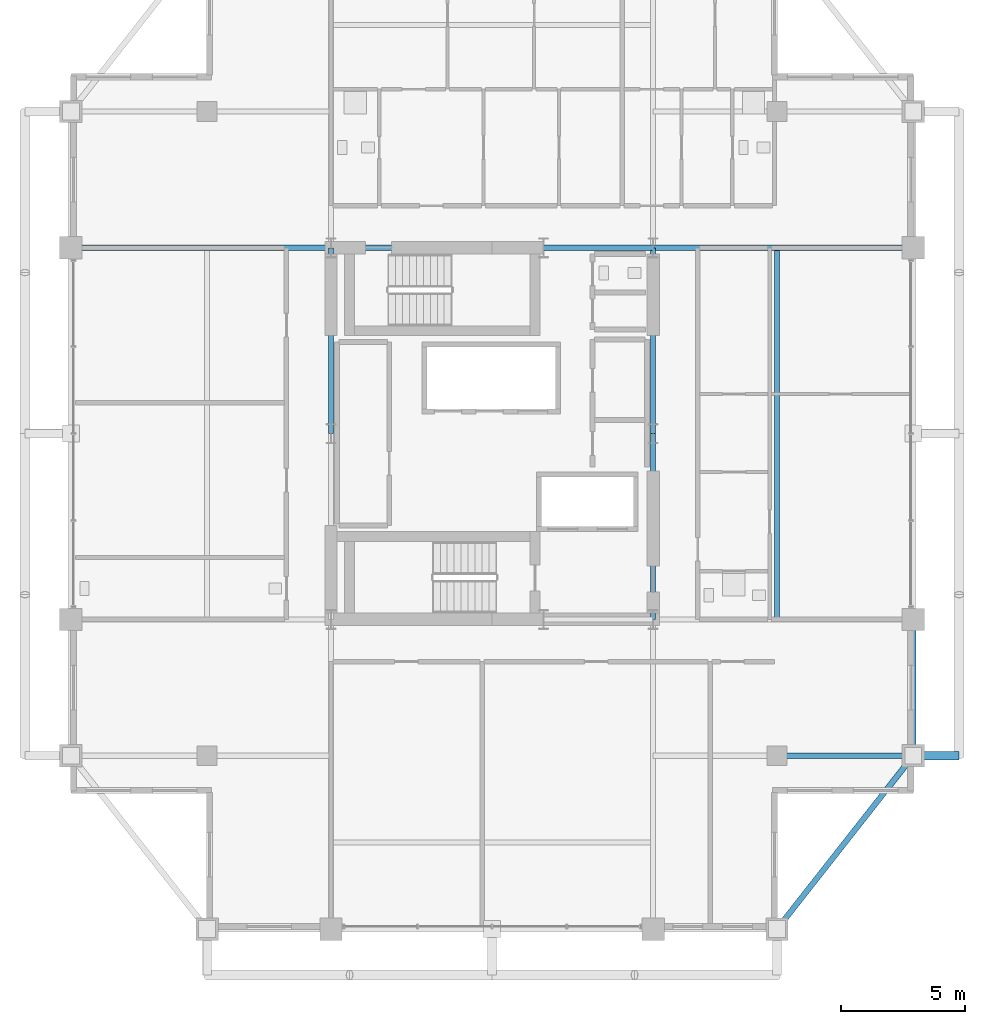
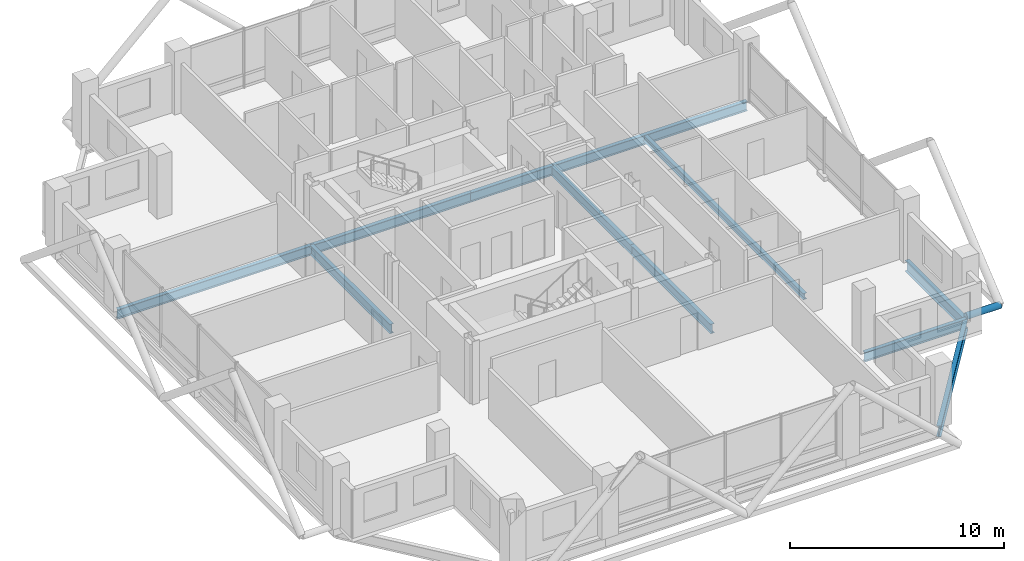
# One storey, part 11 of 24: 11 beams, 1 member.
"""IFC4 building model written with IfcOpenShell, lengths in metres."""

from ifc_helpers import new_model, si_unit, direction, frame, origin, origin_2d, place, context, subcontext, project, spatial, hollow_circle, i_section, extrude, material, material_profile, profile_set, type_object, element, save


model = new_model("IFC4")

# Units and contexts
model_context = context("Model", 3, precision=1e-05, world=origin(), true_north=direction((0.0, 1.0)))
body_context = subcontext(model_context, "Body", "Model", "MODEL_VIEW")
ifc_project = project(units=[si_unit("LENGTHUNIT", "METRE"), si_unit("AREAUNIT", "SQUARE_METRE"), si_unit("VOLUMEUNIT", "CUBIC_METRE"), si_unit("PLANEANGLEUNIT", "RADIAN"), si_unit("MASSUNIT", "GRAM", prefix="KILO")], contexts=[model_context])

# Site, building, storey
site_placement = place(None, origin())
site = spatial("IfcSite", under=ifc_project, at=site_placement, CompositionType="ELEMENT")
building_placement = place(site_placement, origin())
building = spatial("IfcBuilding", under=site, at=building_placement, Name="Barlavira Tower and Art Museum", CompositionType="ELEMENT")
storey_placement = place(building_placement, frame((0.0, 0.0, 283.5)))
storey = spatial("IfcBuildingStorey", under=building, at=storey_placement, Name="L74", CompositionType="ELEMENT", Elevation=283.5)

# Member
ifc_material = material(Name="Steel S355", Category="steel")
ifc_material_profile_1 = material_profile(ifc_material, hollow_circle(Radius=0.177734375, WallThickness=0.01611328125, at=origin_2d()), Name="CHS 355.6x16.0")
ifc_profile_set_1 = profile_set([ifc_material_profile_1], Name="Steel S355")
member_type = type_object("IfcMemberType", Name="Pale-Metal Exoskeleton Tie Strut CHS 356x16 Steel S355", PredefinedType="STRUT", material=ifc_profile_set_1)
member_placement = place(storey_placement, frame((18.85009765625, -13.0, -0.1201171875), z_axis=(-1.0, 0.0, 0.0), x_axis=(0.0, -1.0, 0.0)))
element("IfcMember", 1, at=member_placement, inside=storey, type_object=member_type, Name="L74 Exoskeleton Tie Strut E1", PredefinedType="STRUT", context=body_context, shape_type="SweptSolid", body=[
    extrude(hollow_circle(Radius=0.177734375, WallThickness=0.01611328125, at=origin_2d()), origin(), (0.0, 0.0, 1.0), 1.85009765625),
])

# Beams
ifc_material_profile_2 = material_profile(ifc_material, i_section(OverallWidth=0.22998046875, OverallDepth=0.616943359375, WebThickness=0.01318359375, FlangeThickness=0.022216796875, at=origin_2d()), Name="W610x140.0")
ifc_profile_set_2 = profile_set([ifc_material_profile_2], Name="Steel S355")
beam_type_1 = type_object("IfcBeamType", Name="Upper Shaft Spandrel Edge Beam W610x140 Steel S355", PredefinedType="SPANDREL", material=ifc_profile_set_2)
beam_1_placement = place(storey_placement, frame((11.5, -20.0, -0.528564453125), z_axis=(0.617821551932, 0.786318338822, 0.0), x_axis=(-0.786318338822, 0.617821551932, 0.0)))
element("IfcBeam", 2, at=beam_1_placement, inside=storey, type_object=beam_type_1, Name="L74 Spandrel 4", PredefinedType="SPANDREL", context=body_context, shape_type="SweptSolid", body=[
    extrude(i_section(OverallWidth=0.22998046875, OverallDepth=0.616943359375, WebThickness=0.01318359375, FlangeThickness=0.022216796875, at=origin_2d()), origin(), (0.0, 0.0, 1.0), 8.90234375),
])
beam_2_placement = place(storey_placement, frame((17.0, -13.0, -0.528564453125), z_axis=(0.0, 1.0, 0.0), x_axis=(-1.0, 0.0, 0.0)))
element("IfcBeam", 3, at=beam_2_placement, inside=storey, type_object=beam_type_1, Name="L74 Spandrel 5", PredefinedType="SPANDREL", context=body_context, shape_type="SweptSolid", body=[
    extrude(i_section(OverallWidth=0.22998046875, OverallDepth=0.616943359375, WebThickness=0.01318359375, FlangeThickness=0.022216796875, at=origin_2d()), origin(), (0.0, 0.0, 1.0), 5.5),
])
ifc_material_profile_3 = material_profile(ifc_material, i_section(OverallWidth=0.2109375, OverallDepth=0.5390625, WebThickness=0.01171875, FlangeThickness=0.018798828125, at=origin_2d()), Name="W530x109.0")
ifc_profile_set_3 = profile_set([ifc_material_profile_3], Name="Steel S355")
beam_type_2 = type_object("IfcBeamType", Name="Zone 3-4 Primary Floor Girder W530x109 Steel S355", PredefinedType="BEAM", material=ifc_profile_set_3)
beam_3_placement = place(storey_placement, frame((-6.5, 7.5, -0.489501953125), z_axis=(1.0, 0.0, 0.0), x_axis=(0.0, 1.0, 0.0)))
element("IfcBeam", 4, at=beam_3_placement, inside=storey, type_object=beam_type_2, Name="L74 Girder C-N1", PredefinedType="BEAM", context=body_context, shape_type="SweptSolid", body=[
    extrude(i_section(OverallWidth=0.2109375, OverallDepth=0.5390625, WebThickness=0.01171875, FlangeThickness=0.018798828125, at=origin_2d()), origin(), (0.0, 0.0, 1.0), 8.580078125),
])
beam_4_placement = place(storey_placement, frame((2.080078125, 7.5, -0.489501953125), z_axis=(1.0, 0.0, 0.0), x_axis=(0.0, 1.0, 0.0)))
element("IfcBeam", 5, at=beam_4_placement, inside=storey, type_object=beam_type_2, Name="L74 Girder C-N2", PredefinedType="BEAM", context=body_context, shape_type="SweptSolid", body=[
    extrude(i_section(OverallWidth=0.2109375, OverallDepth=0.5390625, WebThickness=0.01171875, FlangeThickness=0.018798828125, at=origin_2d()), origin(), (0.0, 0.0, 1.0), 4.419921875),
])
for number, where, z_axis, x_axis, name in (
    (6, (-6.5, 0.0, -0.489501953125), (0.0, 1.0, 0.0), (-1.0, 0.0, 0.0), "L74 Girder C-W2"),
    (7, (6.5, -7.5, -0.489501953125), (0.0, 1.0, 0.0), (-1.0, 0.0, 0.0), "L74 Girder C-E1"),
    (8, (6.5, 0.0, -0.489501953125), (0.0, 1.0, 0.0), (-1.0, 0.0, 0.0), "L74 Girder C-E2"),
):
    element("IfcBeam", number, at=place(storey_placement, frame(where, z_axis=z_axis, x_axis=x_axis)), inside=storey, type_object=beam_type_2, Name=name, PredefinedType="BEAM", context=body_context, shape_type="SweptSolid", body=[
        extrude(i_section(OverallWidth=0.2109375, OverallDepth=0.5390625, WebThickness=0.01171875, FlangeThickness=0.018798828125, at=origin_2d()), origin(), (0.0, 0.0, 1.0), 7.5),
    ])
for number, where, z_axis, x_axis, name in (
    (9, (-17.0, 7.5, -0.489501953125), (1.0, 0.0, 0.0), (0.0, 1.0, 0.0), "L74 Girder R-W2"),
    (10, (6.5, 7.5, -0.489501953125), (1.0, 0.0, 0.0), (0.0, 1.0, 0.0), "L74 Girder R-E2"),
):
    element("IfcBeam", number, at=place(storey_placement, frame(where, z_axis=z_axis, x_axis=x_axis)), inside=storey, type_object=beam_type_2, Name=name, PredefinedType="BEAM", context=body_context, shape_type="SweptSolid", body=[
        extrude(i_section(OverallWidth=0.2109375, OverallDepth=0.5390625, WebThickness=0.01171875, FlangeThickness=0.018798828125, at=origin_2d()), origin(), (0.0, 0.0, 1.0), 10.5),
    ])
beam_5_placement = place(storey_placement, frame((11.5, -13.0, -0.489501953125), z_axis=(1.0, 0.0, 0.0), x_axis=(0.0, 1.0, 0.0)))
element("IfcBeam", 11, at=beam_5_placement, inside=storey, type_object=beam_type_2, Name="L74 Girder I-S4", PredefinedType="BEAM", context=body_context, shape_type="SweptSolid", body=[
    extrude(i_section(OverallWidth=0.2109375, OverallDepth=0.5390625, WebThickness=0.01171875, FlangeThickness=0.018798828125, at=origin_2d()), origin(), (0.0, 0.0, 1.0), 5.5),
])
ifc_material_profile_4 = material_profile(ifc_material, i_section(OverallWidth=0.202880859375, OverallDepth=0.346923828125, WebThickness=0.0078125, FlangeThickness=0.013427734375, at=origin_2d()), Name="W360x64.0")
ifc_profile_set_4 = profile_set([ifc_material_profile_4], Name="Steel S355")
beam_type_3 = type_object("IfcBeamType", Name="Zone 4 Composite Floor Joist W360x64 Steel S355", PredefinedType="JOIST", material=ifc_profile_set_4)
beam_6_placement = place(storey_placement, frame((11.5, -7.5, -0.3935546875), z_axis=(0.0, 1.0, 0.0), x_axis=(-1.0, 0.0, 0.0)))
element("IfcBeam", 12, at=beam_6_placement, inside=storey, type_object=beam_type_3, Name="L74 Joist W2", PredefinedType="JOIST", context=body_context, shape_type="SweptSolid", body=[
    extrude(i_section(OverallWidth=0.202880859375, OverallDepth=0.346923828125, WebThickness=0.0078125, FlangeThickness=0.013427734375, at=origin_2d()), origin(), (0.0, 0.0, 1.0), 15.0),
])

save(model, "model.ifc")
